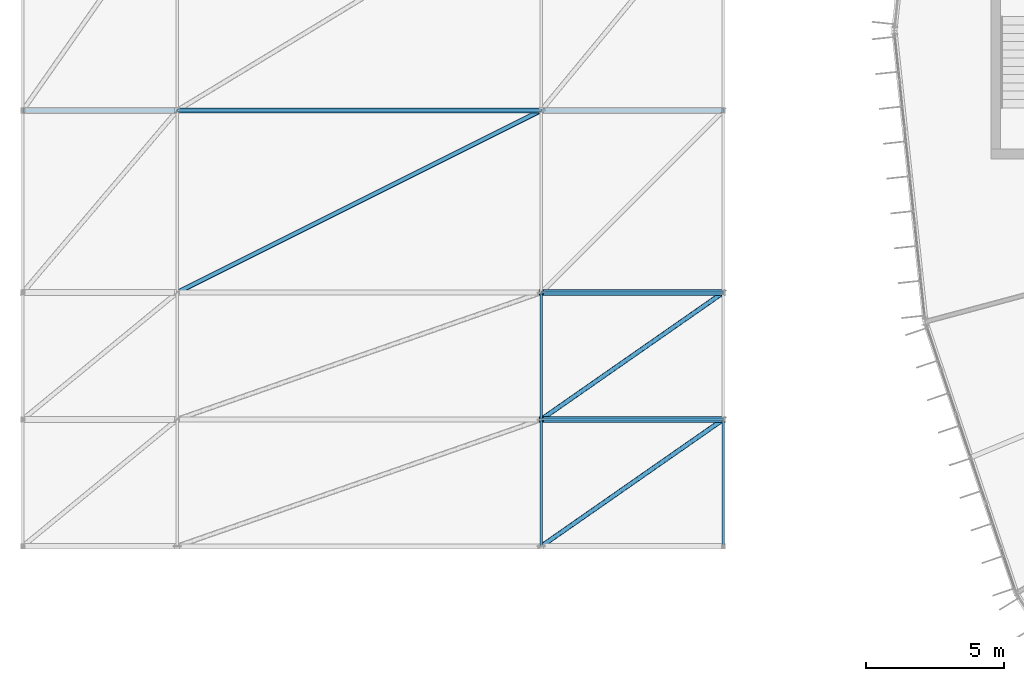
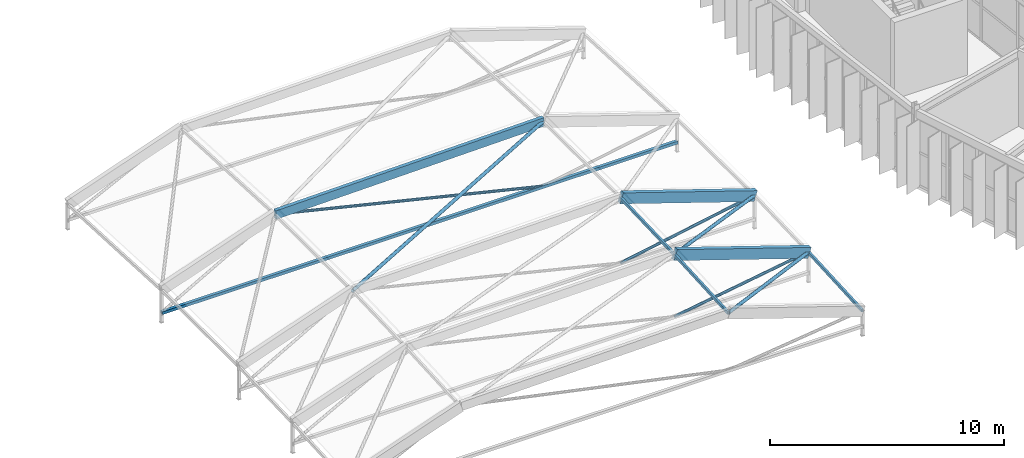
# One storey, part 33 of 134: 13 members.
"""IFC4 building model written with IfcOpenShell, lengths in metres."""

from ifc_helpers import new_model, si_unit, direction, frame, origin, origin_2d, place, context, subcontext, project, spatial, rectangle, hollow_rectangle, hollow_circle, extrude, material, material_profile, profile_set, type_object, element, save


model = new_model("IFC4")

# Units and contexts
model_context = context("Model", 3, precision=1e-05, world=origin(), true_north=direction((0.0, 1.0)))
body_context = subcontext(model_context, "Body", "Model", "MODEL_VIEW")
ifc_project = project(units=[si_unit("LENGTHUNIT", "METRE"), si_unit("AREAUNIT", "SQUARE_METRE"), si_unit("VOLUMEUNIT", "CUBIC_METRE"), si_unit("PLANEANGLEUNIT", "RADIAN"), si_unit("MASSUNIT", "GRAM", prefix="KILO")], contexts=[model_context])

# Site, building, storey
site_placement = place(None, origin())
site = spatial("IfcSite", under=ifc_project, at=site_placement, CompositionType="ELEMENT")
building_placement = place(site_placement, origin())
building = spatial("IfcBuilding", under=site, at=building_placement, Name="Karori Crest Natural Sciences Institute", CompositionType="ELEMENT")
storey_placement = place(building_placement, frame((0.0, 0.0, 21.699951171875)))
storey = spatial("IfcBuildingStorey", under=building, at=storey_placement, Name="L05", CompositionType="ELEMENT", Elevation=21.699951171875)

# Members
ifc_material_1 = material(Name="Hollow structural steel AS/NZS 1163 Grade C350", Category="steel")
ifc_material_profile_1 = material_profile(ifc_material_1, hollow_circle(Radius=0.084228515625, WallThickness=0.007080078125, at=origin_2d()), Name="CHS168.3x7.1")
ifc_profile_set_1 = profile_set([ifc_material_profile_1], Name="Hollow structural steel AS/NZS 1163 Grade C350")
member_type_1 = type_object("IfcMemberType", Name="MT-03", PredefinedType="BRACE", material=ifc_profile_set_1)
member_1_placement = place(storey_placement, frame((20.60009765625, 31.199951171875, 3.1025390625), z_axis=(0.797619972407, 0.555941091262, -0.233948461555), x_axis=(-0.571809373378, 0.820386518975, 0.0)))
element("IfcMember", 1, at=member_1_placement, inside=storey, type_object=member_type_1, Name="Diagonal Brace M-0366", PredefinedType="BRACE", context=body_context, shape_type="SweptSolid", body=[
    extrude(hollow_circle(Radius=0.084228515625, WallThickness=0.007080078125, at=origin_2d()), origin(), (0.0, 0.0, 1.0), 8.2744140625),
])
member_2_placement = place(storey_placement, frame((20.60009765625, 35.800048828125, 3.359130859375), z_axis=(0.795527828757, 0.554453439189, -0.244370328487), x_axis=(-0.571788947883, 0.820400755167, 0.0)))
element("IfcMember", 2, at=member_2_placement, inside=storey, type_object=member_type_1, Name="Diagonal Brace M-0382", PredefinedType="BRACE", context=body_context, shape_type="SweptSolid", body=[
    extrude(hollow_circle(Radius=0.084228515625, WallThickness=0.007080078125, at=origin_2d()), origin(), (0.0, 0.0, 1.0), 8.296142578125),
])
member_3_placement = place(storey_placement, frame((7.39990234375, 40.39990234375, 3.291015625), z_axis=(0.894342485945, 0.447171242972, 0.013762168904), x_axis=(-0.4472135955, 0.894427191, 0.0)))
element("IfcMember", 3, at=member_3_placement, inside=storey, type_object=member_type_1, Name="Diagonal Brace M-0393", PredefinedType="BRACE", context=body_context, shape_type="SweptSolid", body=[
    extrude(hollow_circle(Radius=0.084228515625, WallThickness=0.007080078125, at=origin_2d()), origin(), (0.0, 0.0, 1.0), 14.759765625),
])
ifc_material_profile_2 = material_profile(ifc_material_1, hollow_rectangle(XDim=0.10009765625, YDim=0.14990234375, WallThickness=0.006103515625, at=origin_2d()), Name="RHS150x100x6")
ifc_profile_set_2 = profile_set([ifc_material_profile_2], Name="Hollow structural steel AS/NZS 1163 Grade C350")
member_type_2 = type_object("IfcMemberType", Name="MT-11", PredefinedType="PURLIN", material=ifc_profile_set_2)
for number, where, z_axis, x_axis, name in (
    (4, (20.60009765625, 31.199951171875, 3.1025390625), (0.0, 0.998447936655, 0.055693067691), (-1.0, 0.0, 0.0), "Member M-0364"),
    (5, (27.199951171875, 31.199951171875, 0.91015625), (0.0, 0.998447936655, 0.055693067691), (-1.0, 0.0, 0.0), "Member M-0365"),
):
    element("IfcMember", number, at=place(storey_placement, frame(where, z_axis=z_axis, x_axis=x_axis)), inside=storey, type_object=member_type_2, Name=name, PredefinedType="PURLIN", context=body_context, shape_type="SweptSolid", body=[
        extrude(hollow_rectangle(XDim=0.10009765625, YDim=0.14990234375, WallThickness=0.006103515625, at=origin_2d()), origin(), (0.0, 0.0, 1.0), 4.607177734375),
    ])
member_4_placement = place(storey_placement, frame((20.60009765625, 35.800048828125, 3.359130859375), z_axis=(0.0, 0.999356962296, 0.03585612794), x_axis=(-1.0, 0.0, 0.0)))
element("IfcMember", 6, at=member_4_placement, inside=storey, type_object=member_type_2, Name="Member M-0380", PredefinedType="PURLIN", context=body_context, shape_type="SweptSolid", body=[
    extrude(hollow_rectangle(XDim=0.10009765625, YDim=0.14990234375, WallThickness=0.006103515625, at=origin_2d()), origin(), (0.0, 0.0, 1.0), 4.602783203125),
])
ifc_material_profile_3 = material_profile(ifc_material_1, hollow_rectangle(XDim=0.14990234375, YDim=0.14990234375, WallThickness=0.009033203125, at=origin_2d()), Name="SHS150x150x9")
ifc_profile_set_3 = profile_set([ifc_material_profile_3], Name="Hollow structural steel AS/NZS 1163 Grade C350")
member_type_3 = type_object("IfcMemberType", Name="MT-13-IL", PredefinedType="CHORD", material=ifc_profile_set_3)
member_5_placement = place(storey_placement, frame((1.800048828125, 47.0, 0.1201171875), z_axis=(1.0, 0.0, 0.0), x_axis=(0.0, 1.0, 0.0)))
element("IfcMember", 7, at=member_5_placement, inside=storey, type_object=member_type_3, Name="Member M-0401", PredefinedType="CHORD", context=body_context, shape_type="SweptSolid", body=[
    extrude(hollow_rectangle(XDim=0.14990234375, YDim=0.14990234375, WallThickness=0.009033203125, at=origin_2d()), origin(), (0.0, 0.0, 1.0), 25.39990234375),
])
ifc_material_2 = material(Name="Glulam GL12", Category="wood")
ifc_material_profile_4 = material_profile(ifc_material_2, rectangle(XDim=0.215087890625, YDim=0.5400390625, at=origin_2d()), Name="GL215x540")
ifc_profile_set_4 = profile_set([ifc_material_profile_4], Name="Glulam GL12")
member_type_4 = type_object("IfcMemberType", Name="MT-16", PredefinedType="USERDEFINED", material=ifc_profile_set_4)
for number, where, z_axis, x_axis, name in (
    (8, (20.60009765625, 35.800048828125, 3.379150390625), (0.949009274386, 0.0, -0.315248151666), (0.0, 1.0, 0.0), "Member M-0378"),
    (9, (20.60009765625, 40.39990234375, 3.544189453125), (0.949009274386, 0.0, -0.315248151666), (0.0, 1.0, 0.0), "Member M-0394"),
):
    element("IfcMember", number, at=place(storey_placement, frame(where, z_axis=z_axis, x_axis=x_axis)), inside=storey, type_object=member_type_4, Name=name, ObjectType="ARCH_SEGMENT", PredefinedType="USERDEFINED", context=body_context, shape_type="SweptSolid", body=[
        extrude(rectangle(XDim=0.215087890625, YDim=0.5400390625, at=origin_2d()), origin(), (0.0, 0.0, 1.0), 6.954345703125),
    ])
ifc_material_profile_5 = material_profile(ifc_material_2, rectangle(XDim=0.179931640625, YDim=0.449951171875, at=origin_2d()), Name="GL180x450")
ifc_profile_set_5 = profile_set([ifc_material_profile_5], Name="Glulam GL12")
member_type_5 = type_object("IfcMemberType", Name="MT-17", PredefinedType="USERDEFINED", material=ifc_profile_set_5)
member_6_placement = place(storey_placement, frame((7.39990234375, 47.0, 3.281005859375), z_axis=(0.999844046713, 0.0, 0.017660188367), x_axis=(0.0, 1.0, 0.0)))
element("IfcMember", 10, at=member_6_placement, inside=storey, type_object=member_type_5, Name="Member M-0406", ObjectType="ARCH_SEGMENT", PredefinedType="USERDEFINED", context=body_context, shape_type="SweptSolid", body=[
    extrude(rectangle(XDim=0.179931640625, YDim=0.449951171875, at=origin_2d()), origin(), (0.0, 0.0, 1.0), 13.2021484375),
])
ifc_material_profile_6 = material_profile(ifc_material_1, hollow_circle(Radius=0.06982421875, WallThickness=0.00634765625, at=origin_2d()), Name="CHS139.7x6.4")
ifc_profile_set_6 = profile_set([ifc_material_profile_6], Name="Hollow structural steel AS/NZS 1163 Grade C350")
member_type_6 = type_object("IfcMemberType", Name="MT-18-IL", PredefinedType="STRUT", material=ifc_profile_set_6)
member_7_placement = place(storey_placement, frame((20.60009765625, 35.800048828125, 0.1201171875), z_axis=(0.987190330609, 0.0, 0.159547018623), x_axis=(0.0, 1.0, 0.0)))
element("IfcMember", 11, at=member_7_placement, inside=storey, type_object=member_type_6, Name="Member M-0379", PredefinedType="STRUT", context=body_context, shape_type="SweptSolid", body=[
    extrude(hollow_circle(Radius=0.06982421875, WallThickness=0.00634765625, at=origin_2d()), origin(), (0.0, 0.0, 1.0), 6.685546875),
])
member_8_placement = place(storey_placement, frame((20.60009765625, 40.39990234375, 0.1201171875), z_axis=(0.98302785681, 0.0, 0.183456351038), x_axis=(0.0, 1.0, 0.0)))
element("IfcMember", 12, at=member_8_placement, inside=storey, type_object=member_type_6, Name="Member M-0395", PredefinedType="STRUT", context=body_context, shape_type="SweptSolid", body=[
    extrude(hollow_circle(Radius=0.06982421875, WallThickness=0.00634765625, at=origin_2d()), origin(), (0.0, 0.0, 1.0), 6.7138671875),
])
member_9_placement = place(storey_placement, frame((20.60009765625, 47.0, 0.1201171875), z_axis=(-0.972506849867, 0.0, 0.232874272864), x_axis=(0.0, -1.0, 0.0)))
element("IfcMember", 13, at=member_9_placement, inside=storey, type_object=member_type_6, Name="Member M-0407", PredefinedType="STRUT", context=body_context, shape_type="SweptSolid", body=[
    extrude(hollow_circle(Radius=0.06982421875, WallThickness=0.00634765625, at=origin_2d()), origin(), (0.0, 0.0, 1.0), 13.573486328125),
])

save(model, "model.ifc")
